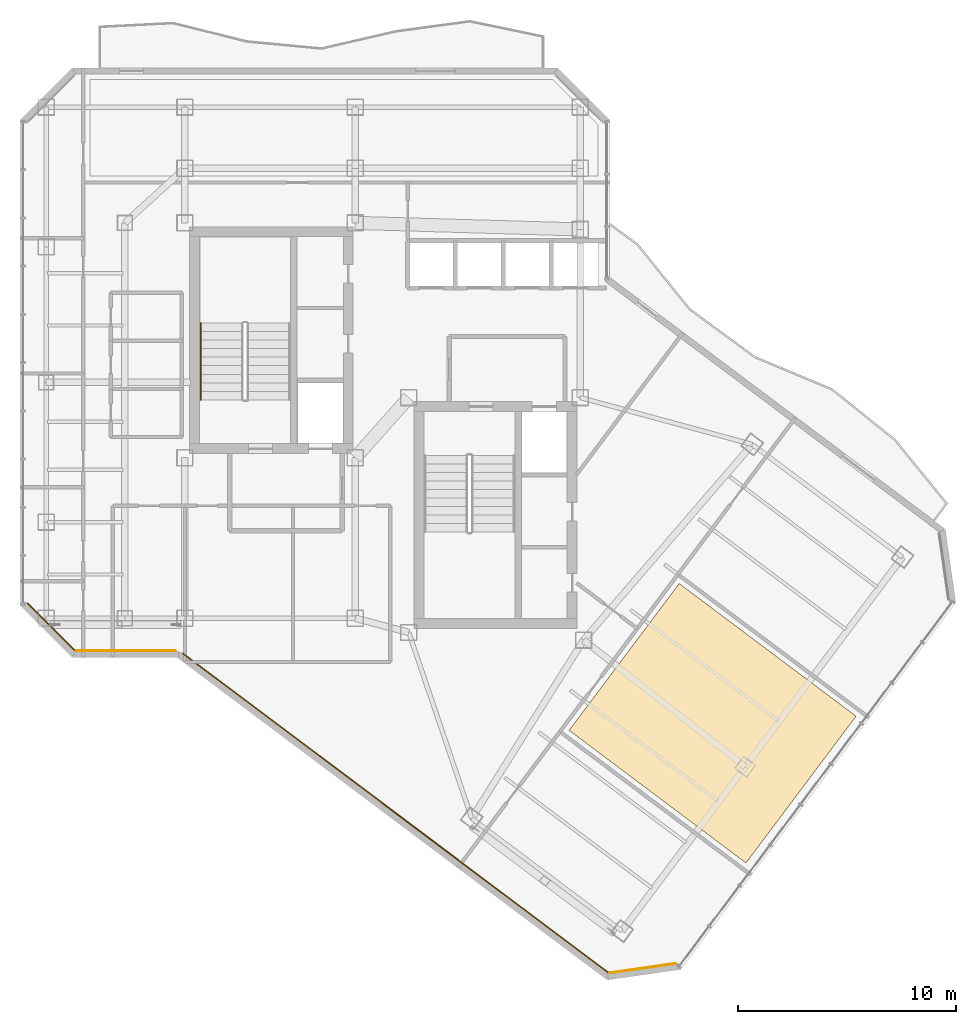
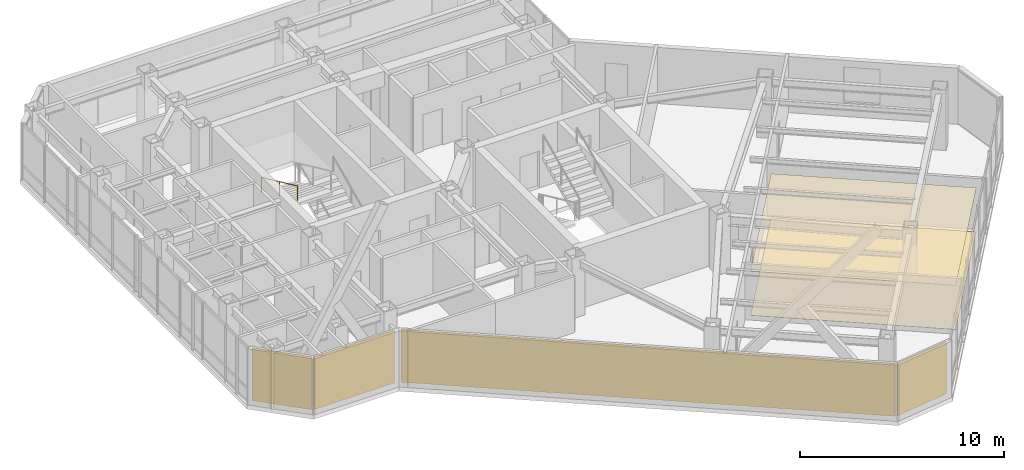
# One storey, part 22 of 24: 6 coverings, 1 railing.
"""IFC4 building model written with IfcOpenShell, lengths in metres."""

import ifcopenshell
import ifcopenshell.guid

model = None  # the IFC model being written
_history = None  # IfcOwnerHistory: only IFC2X3 demands one
_inside = {}  # id of a spatial element -> (the spatial element, [elements in it])
_under = {}  # id of a project, library or spatial element -> (it, [spatial elements below it])
_declared = {}  # id of a project -> (the project, [libraries it declares])
_typed = {}  # id of a type object -> (the type object, [elements of that type])
_made_of = {}  # id of a material, layer set ... -> (it, [elements and type objects made of it])


def new_model(schema):
    """Start an empty IFC model of exactly this schema.

    Asked for "IFC4X3", IfcOpenShell would pick the latest addendum, in which some entities
    have other attributes; the version numbers below select the first issue.
    IFC2X3 requires an IfcOwnerHistory on every rooted entity: one is made here for all.
    """
    global model, _history
    if schema == "IFC4X3":
        model = ifcopenshell.file(schema_version=(4, 3, 0, 0))
    else:
        model = ifcopenshell.file(schema=schema)
    _inside.clear()
    _under.clear()
    _declared.clear()
    _typed.clear()
    _made_of.clear()
    _history = None
    if model.schema == "IFC2X3":
        org = make("IfcOrganization", Name="unknown")
        user = make(
            "IfcPersonAndOrganization",
            ThePerson=make("IfcPerson", FamilyName="unknown"),
            TheOrganization=org,
        )
        app = make(
            "IfcApplication",
            ApplicationDeveloper=org,
            Version="unknown",
            ApplicationFullName="unknown",
            ApplicationIdentifier="unknown",
        )
        _history = make(
            "IfcOwnerHistory",
            OwningUser=user,
            OwningApplication=app,
            ChangeAction="ADDED",
            CreationDate=0,
        )
    return model


def make(cls, **values):
    """One entity of the class cls with the attributes given. An attribute that is None is left unset."""
    return model.create_entity(
        cls, **{name: value for name, value in values.items() if value is not None}
    )


def rooted(cls, **values):
    """An entity with a GlobalId (a new one), such as an element, a storey or a relation."""
    return make(cls, GlobalId=ifcopenshell.guid.new(), OwnerHistory=_history, **values)


def si_unit(unit_type, name, prefix=None):
    """IfcSIUnit, for example si_unit("LENGTHUNIT", "METRE", prefix="MILLI")."""
    return make("IfcSIUnit", UnitType=unit_type, Prefix=prefix, Name=name)


def assignment(units):
    """IfcUnitAssignment: the units of a project."""
    return None if units is None else make("IfcUnitAssignment", Units=units)


def point(xyz):
    """IfcCartesianPoint."""
    return None if xyz is None else make("IfcCartesianPoint", Coordinates=xyz)


def direction(xyz):
    """IfcDirection."""
    return None if xyz is None else make("IfcDirection", DirectionRatios=xyz)


def frame(location, z_axis=None, x_axis=None):
    """IfcAxis2Placement3D, a coordinate frame: its origin and axes. An axis left out is left unset."""
    return make(
        "IfcAxis2Placement3D",
        Location=point(location),
        Axis=direction(z_axis),
        RefDirection=direction(x_axis),
    )


def frame_2d(location, x_axis=None):
    """IfcAxis2Placement2D, a coordinate frame in the plane: its origin and x axis."""
    return make(
        "IfcAxis2Placement2D", Location=point(location), RefDirection=direction(x_axis)
    )


def origin():
    """The frame at (0, 0, 0) with its axes left unset."""
    return frame((0.0, 0.0, 0.0))


def origin_2d():
    """The frame at (0, 0) in the plane with its x axis left unset."""
    return frame_2d((0.0, 0.0))


def place(relative_to, where):
    """IfcLocalPlacement: puts the frame where relative to a parent placement (None: the world)."""
    return make(
        "IfcLocalPlacement", PlacementRelTo=relative_to, RelativePlacement=where
    )


def context(
    kind, dimensions, precision=None, world=None, true_north=None, identifier=None
):
    """IfcGeometricRepresentationContext, for example the 3D "Model" context."""
    return make(
        "IfcGeometricRepresentationContext",
        ContextIdentifier=identifier,
        ContextType=kind,
        CoordinateSpaceDimension=dimensions,
        Precision=precision,
        WorldCoordinateSystem=world,
        TrueNorth=true_north,
    )


def subcontext(parent, identifier, kind, view, scale=None):
    """IfcGeometricRepresentationSubContext, for example "Body" below "Model"."""
    return make(
        "IfcGeometricRepresentationSubContext",
        ContextIdentifier=identifier,
        ContextType=kind,
        ParentContext=parent,
        TargetScale=scale,
        TargetView=view,
    )


def project(units=None, contexts=None):
    """IfcProject with its units and contexts."""
    return rooted(
        "IfcProject",
        Name="project",
        RepresentationContexts=contexts,
        UnitsInContext=assignment(units),
    )


def spatial(cls, under=None, at=None, **own):
    """A site, building, storey or space (cls), placed at a placement, below another one or the project."""
    s = rooted(cls, ObjectPlacement=at, **own)
    if under is not None:
        _under.setdefault(under.id(), (under, []))[1].append(s)
    return s


def polyline(points):
    """IfcPolyline through the points."""
    return make("IfcPolyline", Points=[point(p) for p in points])


def profile(cls, at=None, kind="AREA", **sizes):
    """A parametric profile (cls). Its sizes go by their IFC names, for example OverallWidth=200.0."""
    return make(cls, ProfileType=kind, Position=at, **sizes)


def rectangle(**sizes):
    """IfcRectangleProfileDef."""
    return profile("IfcRectangleProfileDef", **sizes)


def circle(**sizes):
    """IfcCircleProfileDef."""
    return profile("IfcCircleProfileDef", **sizes)


def outline(outer, holes=None, kind="AREA"):
    """IfcArbitraryClosedProfileDef: a profile drawn as a closed curve; with holes, ...WithVoids."""
    if holes is None:
        return make("IfcArbitraryClosedProfileDef", ProfileType=kind, OuterCurve=outer)
    return make(
        "IfcArbitraryProfileDefWithVoids",
        ProfileType=kind,
        OuterCurve=outer,
        InnerCurves=holes,
    )


def extrude(swept, where, along, depth):
    """IfcExtrudedAreaSolid: the profile swept, set in the frame where, extruded along a direction by depth."""
    return make(
        "IfcExtrudedAreaSolid",
        SweptArea=swept,
        Position=where,
        ExtrudedDirection=direction(along),
        Depth=depth,
    )


def shape(context_of_items, identifier, shape_type, items):
    """IfcShapeRepresentation: the items that make up one representation, for example the "Body"."""
    return make(
        "IfcShapeRepresentation",
        ContextOfItems=context_of_items,
        RepresentationIdentifier=identifier,
        RepresentationType=shape_type,
        Items=items,
    )


def material(Name=None, Category=None):
    """IfcMaterial."""
    return make("IfcMaterial", Name=Name, Category=Category)


def layer(
    of_material, thickness, ventilated=None, Name=None, Category=None, Priority=None
):
    """IfcMaterialLayer: one layer of a wall or slab, of a material (None: an air gap)."""
    return make(
        "IfcMaterialLayer",
        Material=of_material,
        LayerThickness=thickness,
        IsVentilated=ventilated,
        Name=Name,
        Category=Category,
        Priority=Priority,
    )


def layer_set(layers, Name=None):
    """IfcMaterialLayerSet."""
    return make("IfcMaterialLayerSet", MaterialLayers=layers, LayerSetName=Name)


def made_of(thing, what):
    """Note that an element or type object is made of a material, layer set ...; save() writes the relation."""
    if what is not None:
        _made_of.setdefault(what.id(), (what, []))[1].append(thing)
    return thing


def type_object(cls, material=None, **own):
    """A type object (cls), such as IfcWallType, which elements share."""
    return made_of(rooted(cls, **own), material)


def element(
    cls,
    number,
    at=None,
    inside=None,
    cuts=None,
    type_object=None,
    material=None,
    context=None,
    identifier="Body",
    shape_type=None,
    held_by="IfcProductDefinitionShape",
    body=None,
    shapes=None,
    **own,
):
    """One element of the class cls, such as IfcWall. Its Tag is "e" and its number.

    at: its placement. inside: the storey or other place that contains it. cuts: it is an
    opening in that element (IfcRelVoidsElement). A single representation is given by context,
    identifier, shape_type and body (its items); several are given by shapes. held_by: the class
    of the entity that holds the representations. save() writes the other relations.
    """
    e = rooted(cls, Tag="e%d" % number, ObjectPlacement=at, **own)
    if body is not None:
        shapes = [shape(context, identifier, shape_type, body)]
    if shapes is not None:
        e.Representation = make(held_by, Representations=shapes)
    if inside is not None:
        _inside.setdefault(inside.id(), (inside, []))[1].append(e)
    if cuts is not None:
        rooted(
            "IfcRelVoidsElement", RelatingBuildingElement=cuts, RelatedOpeningElement=e
        )
    if type_object is not None:
        _typed.setdefault(type_object.id(), (type_object, []))[1].append(e)
    return made_of(e, material)


def aggregate(whole, parts):
    """IfcRelAggregates: a whole, such as a stair, and the parts it consists of."""
    return rooted("IfcRelAggregates", RelatingObject=whole, RelatedObjects=parts)


def save(model, path):
    """Write the relations noted so far, then the file.

    IfcRelAggregates (storeys below a building ...), IfcRelContainedInSpatialStructure (elements
    in a storey), IfcRelDefinesByType, IfcRelAssociatesMaterial and IfcRelDeclares: one each for
    every whole, place, type object, material and project.
    """
    for whole, parts in _under.values():
        aggregate(whole, parts)
    for where, things in _inside.values():
        rooted(
            "IfcRelContainedInSpatialStructure",
            RelatedElements=things,
            RelatingStructure=where,
        )
    for kind, things in _typed.values():
        rooted("IfcRelDefinesByType", RelatedObjects=things, RelatingType=kind)
    for what, things in _made_of.values():
        rooted("IfcRelAssociatesMaterial", RelatedObjects=things, RelatingMaterial=what)
    for by, libraries in _declared.values():
        rooted("IfcRelDeclares", RelatingContext=by, RelatedDefinitions=libraries)
    model.write(path)


model = new_model("IFC4")

# Units and contexts
model_context = context("Model", 3, precision=1e-05, world=origin(), true_north=direction((0.0, 1.0)))
body_context = subcontext(model_context, "Body", "Model", "MODEL_VIEW")
ifc_project = project(units=[si_unit("LENGTHUNIT", "METRE"), si_unit("AREAUNIT", "SQUARE_METRE"), si_unit("VOLUMEUNIT", "CUBIC_METRE"), si_unit("PLANEANGLEUNIT", "RADIAN"), si_unit("MASSUNIT", "GRAM", prefix="KILO")], contexts=[model_context])

# Site, building, storey
site_placement = place(None, origin())
site = spatial("IfcSite", under=ifc_project, at=site_placement, CompositionType="ELEMENT")
building_placement = place(site_placement, origin())
building = spatial("IfcBuilding", under=site, at=building_placement, Name="Hatsunagi Terrace Concourse", CompositionType="ELEMENT")
storey_placement = place(building_placement, frame((0.0, 0.0, 213.14990234375)))
storey = spatial("IfcBuildingStorey", under=building, at=storey_placement, Name="L56", CompositionType="ELEMENT", Elevation=213.14990234375)

# Coverings
ifc_material_1 = material(Name="Acoustic mineral board", Category="gypsum")
ifc_layer_1 = layer(ifc_material_1, 0.02001953125)
ifc_layer_set_1 = layer_set([ifc_layer_1], Name="AcousticMineralCeiling_20")
covering_type_1 = type_object("IfcCoveringType", Name="AcousticMineralCeiling_20", PredefinedType="CEILING", material=ifc_layer_set_1)
covering_1_placement = place(storey_placement, frame((0.0, 0.0, 2.630126953125)))
element("IfcCovering", 1, at=covering_1_placement, inside=storey, type_object=covering_type_1, Name="Suspended Ceiling L56-2", PredefinedType="CEILING", context=body_context, shape_type="SweptSolid", body=[
    extrude(outline(polyline([(56.27587890625, 20.718017578125), (48.179931640625, 26.7900390625), (43.139892578125, 20.070068359375), (51.236083984375, 13.998046875), (56.27587890625, 20.718017578125)])), origin(), (0.0, 0.0, 1.0), 0.02001953125),
])
ifc_material_2 = material(Name="Hardwood timber", Category="wood")
ifc_layer_2 = layer(ifc_material_2, 0.014892578125)
ifc_layer_set_2 = layer_set([ifc_layer_2], Name="HardwoodTimberFlooring_15")
covering_type_2 = type_object("IfcCoveringType", Name="HardwoodTimberFlooring_15", PredefinedType="FLOORING", material=ifc_layer_set_2)
covering_2_placement = place(storey_placement, origin())
element("IfcCovering", 2, at=covering_2_placement, inside=storey, type_object=covering_type_2, Name="Finished Flooring L56-2", PredefinedType="FLOORING", context=body_context, shape_type="SweptSolid", body=[
    extrude(outline(polyline([(56.27587890625, 20.718017578125), (48.179931640625, 26.7900390625), (43.139892578125, 20.070068359375), (51.236083984375, 13.998046875), (56.27587890625, 20.718017578125)])), origin(), (0.0, 0.0, 1.0), 0.01513671875),
])

# Railing
ifc_material_3 = material(Name="Stainless steel", Category="steel")
ifc_layer_3 = layer(ifc_material_3, 0.044921875)
ifc_layer_set_3 = layer_set([ifc_layer_3], Name="StairPitchHandrail_Tower2000")
railing_type = type_object("IfcRailingType", Name="StairPitchHandrail_Tower2000", PredefinedType="HANDRAIL", material=ifc_layer_set_3)
railing_placement = place(storey_placement, frame((26.280029296875, 38.7099609375, 1.97998046875)))
element("IfcRailing", 3, at=railing_placement, inside=storey, type_object=railing_type, Name="L56 ST-A stair handrail 2", PredefinedType="HANDRAIL", context=body_context, shape_type="SweptSolid", body=[
    extrude(circle(Radius=0.02392578125, at=origin_2d()), frame((0.0, 0.0, 0.8759765625), z_axis=(0.0, -0.907948293929, 0.419082206198), x_axis=(1.0, 0.0, 0.0)), (0.0, 0.0, 1.0), 3.865966796875),
    extrude(circle(Radius=0.02099609375, at=origin_2d()), origin(), (0.0, 0.0, 1.0), 0.851806640625),
    extrude(circle(Radius=0.02099609375, at=origin_2d()), frame((0.0, -1.7548828125, 0.81005859375)), (0.0, 0.0, 1.0), 0.851806640625),
    extrude(circle(Radius=0.02099609375, at=origin_2d()), frame((0.0, -3.510009765625, 1.6201171875)), (0.0, 0.0, 1.0), 0.851806640625),
])

# Coverings
ifc_material_4 = material(Name="Unglazed Warm Terracotta Rainscreen Tile", Category="masonry")
ifc_layer_4 = layer(ifc_material_4, 0.044921875)
ifc_layer_set_4 = layer_set([ifc_layer_4], Name="TerracottaRainscreenCladding_45")
covering_type_3 = type_object("IfcCoveringType", Name="TerracottaRainscreenCladding_45", PredefinedType="CLADDING", material=ifc_layer_set_4)
covering_3_placement = place(storey_placement, frame((46.51806640625, 9.178955078125, 0.10009765625), z_axis=(0.0, 0.0, 1.0), x_axis=(-0.989973920543, -0.141250262458, 0.0)))
element("IfcCovering", 4, at=covering_3_placement, inside=storey, type_object=covering_type_3, Name="Terracotta Rainscreen Cladding L56-04", PredefinedType="CLADDING", context=body_context, shape_type="SweptSolid", body=[
    extrude(rectangle(XDim=3.0380859375, YDim=0.044921875, at=origin_2d()), origin(), (0.0, 0.0, 1.0), 3.14990234375),
])
covering_4_placement = place(storey_placement, frame((35.179931640625, 16.29296875, 0.10009765625), z_axis=(0.0, 0.0, 1.0), x_axis=(-0.800005211305, 0.599993051531, 0.0)))
element("IfcCovering", 5, at=covering_4_placement, inside=storey, type_object=covering_type_3, Name="Terracotta Rainscreen Cladding L56-05", PredefinedType="CLADDING", context=body_context, shape_type="SweptSolid", body=[
    extrude(rectangle(XDim=24.34912109375, YDim=0.044921875, at=origin_2d()), origin(), (0.0, 0.0, 1.0), 3.14990234375),
])
covering_5_placement = place(storey_placement, frame((22.85205078125, 23.701904296875, 0.10009765625), z_axis=(0.0, 0.0, 1.0), x_axis=(-1.0, 0.0, 0.0)))
element("IfcCovering", 6, at=covering_5_placement, inside=storey, type_object=covering_type_3, Name="Terracotta Rainscreen Cladding L56-06", PredefinedType="CLADDING", context=body_context, shape_type="SweptSolid", body=[
    extrude(rectangle(XDim=4.549072265625, YDim=0.044921875, at=origin_2d()), origin(), (0.0, 0.0, 1.0), 3.14990234375),
])
covering_6_placement = place(storey_placement, frame((19.4140625, 24.81396484375, 0.10009765625), z_axis=(0.0, 0.0, 1.0), x_axis=(-0.707106781187, 0.707106781187, 0.0)))
element("IfcCovering", 7, at=covering_6_placement, inside=storey, type_object=covering_type_3, Name="Terracotta Rainscreen Cladding L56-07", PredefinedType="CLADDING", context=body_context, shape_type="SweptSolid", body=[
    extrude(rectangle(XDim=3.0380859375, YDim=0.044921875, at=origin_2d()), origin(), (0.0, 0.0, 1.0), 3.14990234375),
])

save(model, "model.ifc")
